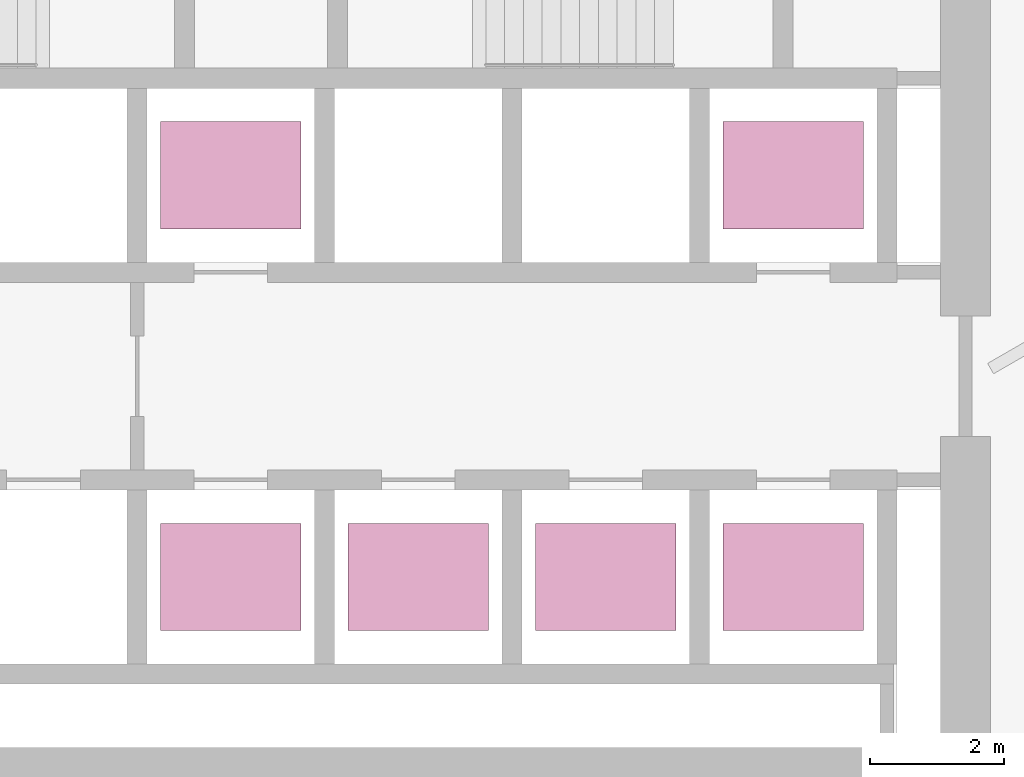
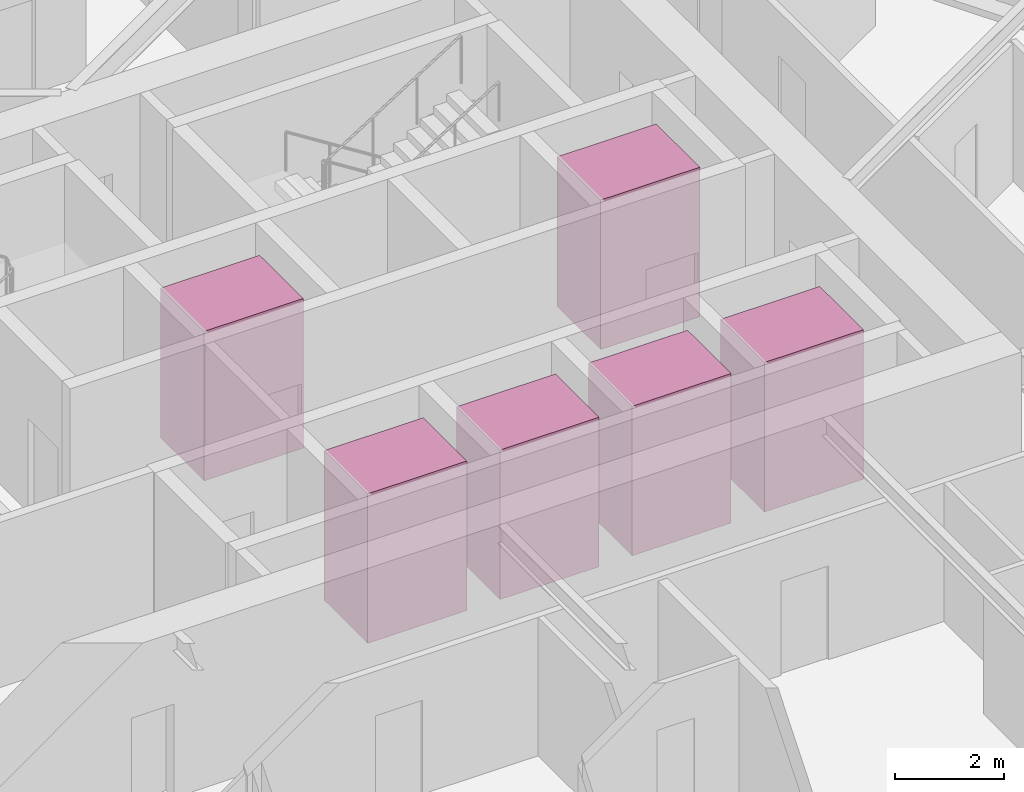
# One storey, part 16 of 16: 6 transport elements.
"""IFC4 building model written with IfcOpenShell, lengths in metres."""

from ifc_helpers import new_model, si_unit, direction, frame, origin, origin_2d, place, context, subcontext, project, spatial, rectangle, extrude, material, type_object, element, save


model = new_model("IFC4")

# Units and contexts
model_context = context("Model", 3, precision=1e-05, world=origin(), true_north=direction((0.0, 1.0)))
body_context = subcontext(model_context, "Body", "Model", "MODEL_VIEW")
ifc_project = project(units=[si_unit("LENGTHUNIT", "METRE"), si_unit("AREAUNIT", "SQUARE_METRE"), si_unit("VOLUMEUNIT", "CUBIC_METRE"), si_unit("PLANEANGLEUNIT", "RADIAN"), si_unit("MASSUNIT", "GRAM", prefix="KILO")], contexts=[model_context])

# Site, building, storey
site_placement = place(None, origin())
site = spatial("IfcSite", under=ifc_project, at=site_placement, CompositionType="ELEMENT")
building_placement = place(site_placement, origin())
building = spatial("IfcBuilding", under=site, at=building_placement, Name="Firuza Gate Tower and Library", CompositionType="ELEMENT")
storey_placement = place(building_placement, frame((0.0, 0.0, 198.699951171875)))
storey = spatial("IfcBuildingStorey", under=building, at=storey_placement, Name="L46", CompositionType="ELEMENT", Elevation=198.699951171875)

# Transport elements
ifc_material = material(Name="Stainless steel and glass", Category="steel")
transport_element_type = type_object("IfcTransportElementType", Name="Mid-rise lift car 2100x1600", PredefinedType="ELEVATOR", material=ifc_material)
for number, where, z_axis, x_axis, name in (
    (1, (74.64990234375, 70.300048828125, 0.0), (0.0, 0.0, 1.0), (1.0, 0.0, 0.0), "Mid-rise lift MR1"),
    (2, (77.449951171875, 70.300048828125, 0.0), (0.0, 0.0, 1.0), (1.0, 0.0, 0.0), "Mid-rise lift MR2"),
    (3, (80.25, 70.300048828125, 0.0), (0.0, 0.0, 1.0), (1.0, 0.0, 0.0), "Mid-rise lift MR3"),
    (4, (74.64990234375, 76.300048828125, 0.0), (0.0, 0.0, 1.0), (1.0, 0.0, 0.0), "Mid-rise lift MR4"),
    (5, (83.050048828125, 70.300048828125, 0.0), (0.0, 0.0, 1.0), (1.0, 0.0, 0.0), "Mid-rise lift MR5"),
    (6, (83.050048828125, 76.300048828125, 0.0), (0.0, 0.0, 1.0), (1.0, 0.0, 0.0), "Mid-rise lift MR6"),
):
    element("IfcTransportElement", number, at=place(storey_placement, frame(where, z_axis=z_axis, x_axis=x_axis)), inside=storey, type_object=transport_element_type, Name=name, PredefinedType="ELEVATOR", context=body_context, shape_type="SweptSolid", body=[
        extrude(rectangle(XDim=2.10009765625, YDim=1.60009765625, at=origin_2d()), origin(), (0.0, 0.0, 1.0), 3.35009765625),
    ])

save(model, "model.ifc")
